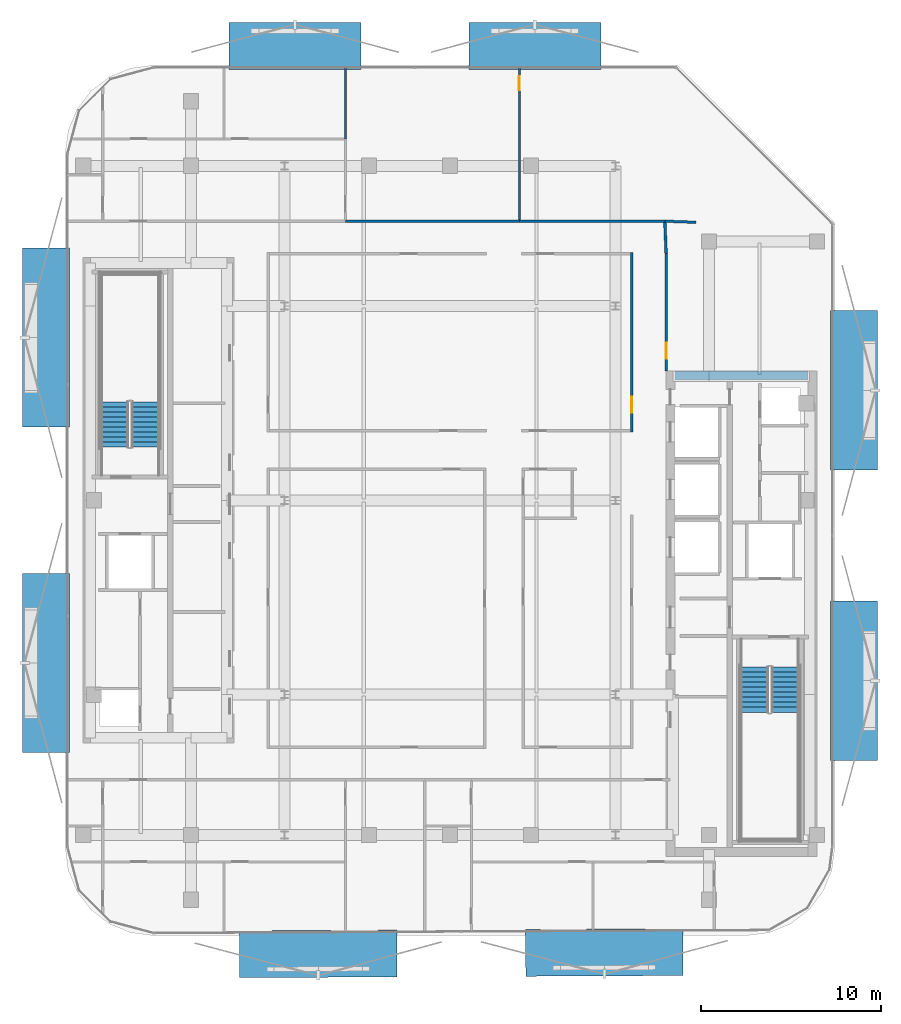
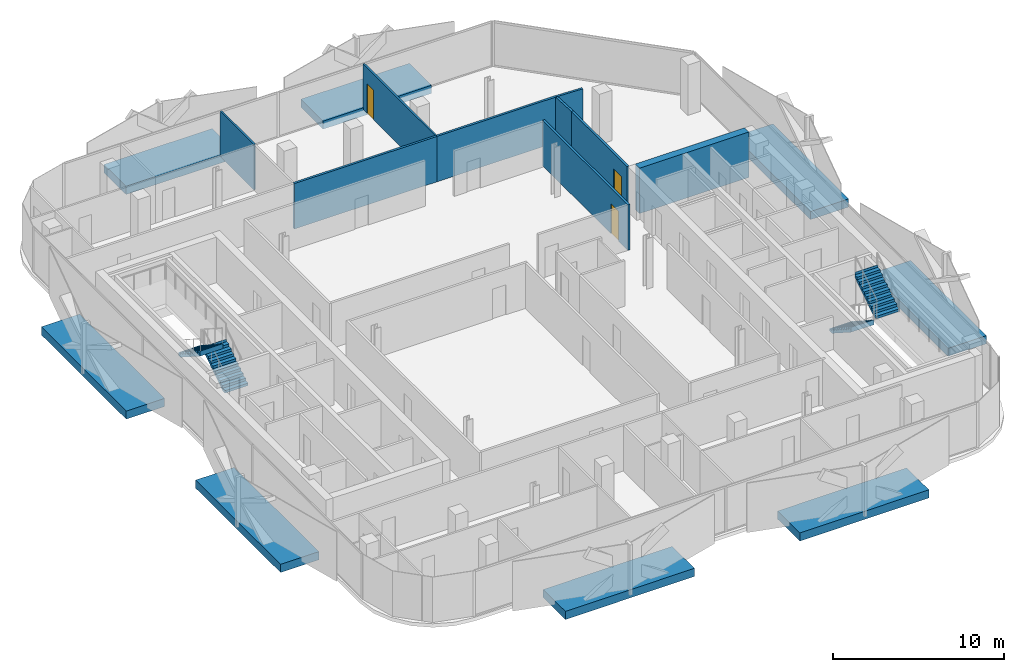
# One storey, part 6 of 15: 9 walls, 8 discrete accessories, 4 stair flights, 3 doors, 3 openings, 2 elements without a shape of their own.
"""IFC4 building model written with IfcOpenShell, lengths in metres."""

import ifcopenshell
import ifcopenshell.guid

model = None  # the IFC model being written
_history = None  # IfcOwnerHistory: only IFC2X3 demands one
_inside = {}  # id of a spatial element -> (the spatial element, [elements in it])
_under = {}  # id of a project, library or spatial element -> (it, [spatial elements below it])
_declared = {}  # id of a project -> (the project, [libraries it declares])
_typed = {}  # id of a type object -> (the type object, [elements of that type])
_made_of = {}  # id of a material, layer set ... -> (it, [elements and type objects made of it])


def new_model(schema):
    """Start an empty IFC model of exactly this schema.

    Asked for "IFC4X3", IfcOpenShell would pick the latest addendum, in which some entities
    have other attributes; the version numbers below select the first issue.
    IFC2X3 requires an IfcOwnerHistory on every rooted entity: one is made here for all.
    """
    global model, _history
    if schema == "IFC4X3":
        model = ifcopenshell.file(schema_version=(4, 3, 0, 0))
    else:
        model = ifcopenshell.file(schema=schema)
    _inside.clear()
    _under.clear()
    _declared.clear()
    _typed.clear()
    _made_of.clear()
    _history = None
    if model.schema == "IFC2X3":
        org = make("IfcOrganization", Name="unknown")
        user = make(
            "IfcPersonAndOrganization",
            ThePerson=make("IfcPerson", FamilyName="unknown"),
            TheOrganization=org,
        )
        app = make(
            "IfcApplication",
            ApplicationDeveloper=org,
            Version="unknown",
            ApplicationFullName="unknown",
            ApplicationIdentifier="unknown",
        )
        _history = make(
            "IfcOwnerHistory",
            OwningUser=user,
            OwningApplication=app,
            ChangeAction="ADDED",
            CreationDate=0,
        )
    return model


def make(cls, **values):
    """One entity of the class cls with the attributes given. An attribute that is None is left unset."""
    return model.create_entity(
        cls, **{name: value for name, value in values.items() if value is not None}
    )


def rooted(cls, **values):
    """An entity with a GlobalId (a new one), such as an element, a storey or a relation."""
    return make(cls, GlobalId=ifcopenshell.guid.new(), OwnerHistory=_history, **values)


def si_unit(unit_type, name, prefix=None):
    """IfcSIUnit, for example si_unit("LENGTHUNIT", "METRE", prefix="MILLI")."""
    return make("IfcSIUnit", UnitType=unit_type, Prefix=prefix, Name=name)


def assignment(units):
    """IfcUnitAssignment: the units of a project."""
    return None if units is None else make("IfcUnitAssignment", Units=units)


def point(xyz):
    """IfcCartesianPoint."""
    return None if xyz is None else make("IfcCartesianPoint", Coordinates=xyz)


def direction(xyz):
    """IfcDirection."""
    return None if xyz is None else make("IfcDirection", DirectionRatios=xyz)


def frame(location, z_axis=None, x_axis=None):
    """IfcAxis2Placement3D, a coordinate frame: its origin and axes. An axis left out is left unset."""
    return make(
        "IfcAxis2Placement3D",
        Location=point(location),
        Axis=direction(z_axis),
        RefDirection=direction(x_axis),
    )


def frame_2d(location, x_axis=None):
    """IfcAxis2Placement2D, a coordinate frame in the plane: its origin and x axis."""
    return make(
        "IfcAxis2Placement2D", Location=point(location), RefDirection=direction(x_axis)
    )


def origin():
    """The frame at (0, 0, 0) with its axes left unset."""
    return frame((0.0, 0.0, 0.0))


def origin_2d():
    """The frame at (0, 0) in the plane with its x axis left unset."""
    return frame_2d((0.0, 0.0))


def place(relative_to, where):
    """IfcLocalPlacement: puts the frame where relative to a parent placement (None: the world)."""
    return make(
        "IfcLocalPlacement", PlacementRelTo=relative_to, RelativePlacement=where
    )


def context(
    kind, dimensions, precision=None, world=None, true_north=None, identifier=None
):
    """IfcGeometricRepresentationContext, for example the 3D "Model" context."""
    return make(
        "IfcGeometricRepresentationContext",
        ContextIdentifier=identifier,
        ContextType=kind,
        CoordinateSpaceDimension=dimensions,
        Precision=precision,
        WorldCoordinateSystem=world,
        TrueNorth=true_north,
    )


def subcontext(parent, identifier, kind, view, scale=None):
    """IfcGeometricRepresentationSubContext, for example "Body" below "Model"."""
    return make(
        "IfcGeometricRepresentationSubContext",
        ContextIdentifier=identifier,
        ContextType=kind,
        ParentContext=parent,
        TargetScale=scale,
        TargetView=view,
    )


def project(units=None, contexts=None):
    """IfcProject with its units and contexts."""
    return rooted(
        "IfcProject",
        Name="project",
        RepresentationContexts=contexts,
        UnitsInContext=assignment(units),
    )


def spatial(cls, under=None, at=None, **own):
    """A site, building, storey or space (cls), placed at a placement, below another one or the project."""
    s = rooted(cls, ObjectPlacement=at, **own)
    if under is not None:
        _under.setdefault(under.id(), (under, []))[1].append(s)
    return s


def polyline(points):
    """IfcPolyline through the points."""
    return make("IfcPolyline", Points=[point(p) for p in points])


def profile(cls, at=None, kind="AREA", **sizes):
    """A parametric profile (cls). Its sizes go by their IFC names, for example OverallWidth=200.0."""
    return make(cls, ProfileType=kind, Position=at, **sizes)


def rectangle(**sizes):
    """IfcRectangleProfileDef."""
    return profile("IfcRectangleProfileDef", **sizes)


def outline(outer, holes=None, kind="AREA"):
    """IfcArbitraryClosedProfileDef: a profile drawn as a closed curve; with holes, ...WithVoids."""
    if holes is None:
        return make("IfcArbitraryClosedProfileDef", ProfileType=kind, OuterCurve=outer)
    return make(
        "IfcArbitraryProfileDefWithVoids",
        ProfileType=kind,
        OuterCurve=outer,
        InnerCurves=holes,
    )


def extrude(swept, where, along, depth):
    """IfcExtrudedAreaSolid: the profile swept, set in the frame where, extruded along a direction by depth."""
    return make(
        "IfcExtrudedAreaSolid",
        SweptArea=swept,
        Position=where,
        ExtrudedDirection=direction(along),
        Depth=depth,
    )


def shape(context_of_items, identifier, shape_type, items):
    """IfcShapeRepresentation: the items that make up one representation, for example the "Body"."""
    return make(
        "IfcShapeRepresentation",
        ContextOfItems=context_of_items,
        RepresentationIdentifier=identifier,
        RepresentationType=shape_type,
        Items=items,
    )


def material(Name=None, Category=None):
    """IfcMaterial."""
    return make("IfcMaterial", Name=Name, Category=Category)


def layer(
    of_material, thickness, ventilated=None, Name=None, Category=None, Priority=None
):
    """IfcMaterialLayer: one layer of a wall or slab, of a material (None: an air gap)."""
    return make(
        "IfcMaterialLayer",
        Material=of_material,
        LayerThickness=thickness,
        IsVentilated=ventilated,
        Name=Name,
        Category=Category,
        Priority=Priority,
    )


def layer_set(layers, Name=None):
    """IfcMaterialLayerSet."""
    return make("IfcMaterialLayerSet", MaterialLayers=layers, LayerSetName=Name)


def made_of(thing, what):
    """Note that an element or type object is made of a material, layer set ...; save() writes the relation."""
    if what is not None:
        _made_of.setdefault(what.id(), (what, []))[1].append(thing)
    return thing


def type_object(cls, material=None, **own):
    """A type object (cls), such as IfcWallType, which elements share."""
    return made_of(rooted(cls, **own), material)


def element(
    cls,
    number,
    at=None,
    inside=None,
    cuts=None,
    type_object=None,
    material=None,
    context=None,
    identifier="Body",
    shape_type=None,
    held_by="IfcProductDefinitionShape",
    body=None,
    shapes=None,
    **own,
):
    """One element of the class cls, such as IfcWall. Its Tag is "e" and its number.

    at: its placement. inside: the storey or other place that contains it. cuts: it is an
    opening in that element (IfcRelVoidsElement). A single representation is given by context,
    identifier, shape_type and body (its items); several are given by shapes. held_by: the class
    of the entity that holds the representations. save() writes the other relations.
    """
    e = rooted(cls, Tag="e%d" % number, ObjectPlacement=at, **own)
    if body is not None:
        shapes = [shape(context, identifier, shape_type, body)]
    if shapes is not None:
        e.Representation = make(held_by, Representations=shapes)
    if inside is not None:
        _inside.setdefault(inside.id(), (inside, []))[1].append(e)
    if cuts is not None:
        rooted(
            "IfcRelVoidsElement", RelatingBuildingElement=cuts, RelatedOpeningElement=e
        )
    if type_object is not None:
        _typed.setdefault(type_object.id(), (type_object, []))[1].append(e)
    return made_of(e, material)


def fill(opening, filler):
    """IfcRelFillsElement: the door or window that sits in an opening."""
    return rooted(
        "IfcRelFillsElement",
        RelatingOpeningElement=opening,
        RelatedBuildingElement=filler,
    )


def aggregate(whole, parts):
    """IfcRelAggregates: a whole, such as a stair, and the parts it consists of."""
    return rooted("IfcRelAggregates", RelatingObject=whole, RelatedObjects=parts)


def save(model, path):
    """Write the relations noted so far, then the file.

    IfcRelAggregates (storeys below a building ...), IfcRelContainedInSpatialStructure (elements
    in a storey), IfcRelDefinesByType, IfcRelAssociatesMaterial and IfcRelDeclares: one each for
    every whole, place, type object, material and project.
    """
    for whole, parts in _under.values():
        aggregate(whole, parts)
    for where, things in _inside.values():
        rooted(
            "IfcRelContainedInSpatialStructure",
            RelatedElements=things,
            RelatingStructure=where,
        )
    for kind, things in _typed.values():
        rooted("IfcRelDefinesByType", RelatedObjects=things, RelatingType=kind)
    for what, things in _made_of.values():
        rooted("IfcRelAssociatesMaterial", RelatedObjects=things, RelatingMaterial=what)
    for by, libraries in _declared.values():
        rooted("IfcRelDeclares", RelatingContext=by, RelatedDefinitions=libraries)
    model.write(path)


model = new_model("IFC4")

# Units and contexts
model_context = context("Model", 3, precision=1e-05, world=origin(), true_north=direction((0.0, 1.0)))
body_context = subcontext(model_context, "Body", "Model", "MODEL_VIEW")
ifc_project = project(units=[si_unit("LENGTHUNIT", "METRE"), si_unit("AREAUNIT", "SQUARE_METRE"), si_unit("VOLUMEUNIT", "CUBIC_METRE"), si_unit("PLANEANGLEUNIT", "RADIAN"), si_unit("MASSUNIT", "GRAM", prefix="KILO")], contexts=[model_context])

# Site, building, storey
site_placement = place(None, origin())
site = spatial("IfcSite", under=ifc_project, at=site_placement, CompositionType="ELEMENT")
building_placement = place(site_placement, origin())
building = spatial("IfcBuilding", under=site, at=building_placement, Name="Khairoan Windgate Tower", CompositionType="ELEMENT")
storey_placement = place(building_placement, frame((0.0, 0.0, 269.199951171875)))
storey = spatial("IfcBuildingStorey", under=building, at=storey_placement, Name="L64", CompositionType="ELEMENT", Elevation=269.199951171875)

# Wall
ifc_material_1 = material(Name="Acoustic Fire-Rated Gypsum Partition", Category="gypsum")
ifc_layer_1 = layer(ifc_material_1, 0.139892578125, Name="Acoustic Fire-Rated Gypsum Partition")
ifc_layer_set_1 = layer_set([ifc_layer_1], Name="Acoustic Fire-Rated Gypsum Partition")
wall_type_1 = type_object("IfcWallType", Name="Inter-Tenancy Compartment Wall", PredefinedType="PARTITIONING", material=ifc_layer_set_1)
wall_1_placement = place(storey_placement, frame((11.93994140625, 15.52490234375, 0.0), z_axis=(0.0, 0.0, 1.0), x_axis=(0.999304229002, -0.037296888581, 0.0)))
element("IfcWall", 1, at=wall_1_placement, inside=storey, type_object=wall_type_1, Name="L64 Interior Partition 045", PredefinedType="PARTITIONING", context=body_context, shape_type="SweptSolid", body=[
    extrude(rectangle(XDim=1.7412109375, YDim=0.139892578125, at=frame_2d((0.87060546875, 0.0))), origin(), (0.0, 0.0, 1.0), 3.25),
])

# Wall, opening, door
ifc_material_2 = material(Name="Gypsum Stud Partition", Category="gypsum")
ifc_layer_2 = layer(ifc_material_2, 0.1201171875, Name="Gypsum Stud Partition")
ifc_layer_set_2 = layer_set([ifc_layer_2], Name="Gypsum Stud Partition")
wall_type_2 = type_object("IfcWallType", Name="Internal Room Partition Wall", PredefinedType="PARTITIONING", material=ifc_layer_set_2)
wall_2_placement = place(storey_placement, frame((3.85498046875, 15.60009765625, 0.0), z_axis=(0.0, 0.0, 1.0), x_axis=(0.0, 1.0, 0.0)))
wall_2 = element("IfcWall", 2, at=wall_2_placement, inside=storey, type_object=wall_type_2, Name="L64 Interior Partition 043", PredefinedType="PARTITIONING", context=body_context, shape_type="SweptSolid", body=[
    extrude(rectangle(XDim=8.454833984375, YDim=0.1201171875, at=frame_2d((4.2275390625, 0.0))), origin(), (0.0, 0.0, 1.0), 3.25),
])
opening_1_placement = place(wall_2_placement, frame((7.195068359375, 0.0, 0.0)))
opening_1 = element("IfcOpeningElement", 3, at=opening_1_placement, cuts=wall_2, Name="Opening ID-BTH", PredefinedType="OPENING", context=body_context, shape_type="SweptSolid", body=[
    extrude(rectangle(XDim=0.800048828125, YDim=2.10009765625, at=frame_2d((0.39990234375, 1.050048828125))), frame((0.0, 0.070068359375, 0.0), z_axis=(0.0, -1.0, 0.0), x_axis=(1.0, 0.0, 0.0)), (0.0, 0.0, 1.0), 0.14013671875),
])
ifc_material_3 = material(Name="Teak Veneer Timber Leaf", Category="wood")
door_type_1 = type_object("IfcDoorType", Name="Internal Bathroom Door ID-BTH 800x2100", OperationType="NOTDEFINED", PredefinedType="DOOR", material=ifc_material_3)
door_1_placement = place(opening_1_placement, origin())
door_1 = element("IfcDoor", 4, at=door_1_placement, inside=storey, type_object=door_type_1, Name="L64 L64-36-L64-37 Door", OperationType="SINGLE_SWING_LEFT", OverallHeight=2.10009765625, OverallWidth=0.800048828125, PredefinedType="DOOR", context=body_context, shape_type="SweptSolid", body=[
    extrude(rectangle(XDim=0.800048828125, YDim=2.10009765625, at=frame_2d((0.39990234375, 1.050048828125))), frame((0.0, 0.02490234375, 0.0), z_axis=(0.0, -1.0, 0.0), x_axis=(1.0, 0.0, 0.0)), (0.0, 0.0, 1.0), 0.050048828125),
])
fill(opening_1, door_1)

# Wall
wall_3_placement = place(storey_placement, frame((-5.81005859375, 20.10009765625, 0.0), z_axis=(0.0, 0.0, 1.0), x_axis=(0.0, 1.0, 0.0)))
element("IfcWall", 5, at=wall_3_placement, inside=storey, type_object=wall_type_2, Name="L64 Interior Partition 044", PredefinedType="PARTITIONING", context=body_context, shape_type="SweptSolid", body=[
    extrude(rectangle(XDim=3.954833984375, YDim=0.1201171875, at=frame_2d((1.9775390625, 0.0))), origin(), (0.0, 0.0, 1.0), 3.25),
])

# Wall, opening, door
ifc_material_4 = material(Name="Acoustic Fire-Rated Gypsum Partition", Category="gypsum")
ifc_layer_3 = layer(ifc_material_4, 0.14990234375, Name="Acoustic Fire-Rated Gypsum Partition")
ifc_layer_set_3 = layer_set([ifc_layer_3], Name="Acoustic Fire-Rated Gypsum Partition")
wall_type_3 = type_object("IfcWallType", Name="Rated Corridor Partition Wall", PredefinedType="PARTITIONING", material=ifc_layer_set_3)
wall_4_placement = place(storey_placement, frame((12.014892578125, 7.199951171875, 0.0), z_axis=(0.0, 0.0, 1.0), x_axis=(0.0, 1.0, 0.0)))
wall_4 = element("IfcWall", 6, at=wall_4_placement, inside=storey, type_object=wall_type_3, Name="L64 Interior Partition 014", PredefinedType="PARTITIONING", context=body_context, shape_type="SweptSolid", body=[
    extrude(rectangle(XDim=6.52001953125, YDim=0.14990234375, at=frame_2d((3.260009765625, 0.0))), origin(), (0.0, 0.0, 1.0), 3.25),
])
opening_2_placement = place(wall_4_placement, frame((0.669921875, 0.0, 0.0)))
opening_2 = element("IfcOpeningElement", 7, at=opening_2_placement, cuts=wall_4, Name="Opening FD-ENT", PredefinedType="OPENING", context=body_context, shape_type="SweptSolid", body=[
    extrude(rectangle(XDim=0.89990234375, YDim=2.14990234375, at=frame_2d((0.449951171875, 1.074951171875))), frame((0.0, 0.0849609375, 0.0), z_axis=(0.0, -1.0, 0.0), x_axis=(1.0, 0.0, 0.0)), (0.0, 0.0, 1.0), 0.169921875),
])
ifc_material_5 = material(Name="Timber Fire-Rated Core", Category="wood")
door_type_2 = type_object("IfcDoorType", Name="Unit and Office Fire Entrance Door FD-ENT 900x2150", OperationType="NOTDEFINED", PredefinedType="DOOR", material=ifc_material_5)
door_2_placement = place(opening_2_placement, origin())
door_2 = element("IfcDoor", 8, at=door_2_placement, inside=storey, type_object=door_type_2, Name="L64 L64-28-L64-52 Door", OperationType="SINGLE_SWING_LEFT", OverallHeight=2.14990234375, OverallWidth=0.89990234375, PredefinedType="DOOR", context=body_context, shape_type="SweptSolid", body=[
    extrude(rectangle(XDim=0.89990234375, YDim=2.14990234375, at=frame_2d((0.449951171875, 1.074951171875))), frame((0.0, 0.02490234375, 0.0), z_axis=(0.0, -1.0, 0.0), x_axis=(1.0, 0.0, 0.0)), (0.0, 0.0, 1.0), 0.050048828125),
])
fill(opening_2, door_2)

wall_5_placement = place(storey_placement, frame((10.10009765625, 3.7900390625, 0.0), z_axis=(0.0, 0.0, 1.0), x_axis=(0.0, 1.0, 0.0)))
wall_5 = element("IfcWall", 9, at=wall_5_placement, inside=storey, type_object=wall_type_3, Name="L64 Interior Partition 015", PredefinedType="PARTITIONING", context=body_context, shape_type="SweptSolid", body=[
    extrude(rectangle(XDim=10.0048828125, YDim=0.14990234375, at=frame_2d((5.00244140625, 0.0))), origin(), (0.0, 0.0, 1.0), 3.25),
])
opening_3_placement = place(wall_5_placement, frame((1.073974609375, 0.0, 0.0)))
opening_3 = element("IfcOpeningElement", 10, at=opening_3_placement, cuts=wall_5, Name="Opening FD-ENT", PredefinedType="OPENING", context=body_context, shape_type="SweptSolid", body=[
    extrude(rectangle(XDim=0.89990234375, YDim=2.14990234375, at=frame_2d((0.449951171875, 1.074951171875))), frame((0.0, 0.0849609375, 0.0), z_axis=(0.0, -1.0, 0.0), x_axis=(1.0, 0.0, 0.0)), (0.0, 0.0, 1.0), 0.169921875),
])
door_3_placement = place(opening_3_placement, origin())
door_3 = element("IfcDoor", 11, at=door_3_placement, inside=storey, type_object=door_type_2, Name="L64 L64-28-L64-55 Door", OperationType="SINGLE_SWING_RIGHT", OverallHeight=2.14990234375, OverallWidth=0.89990234375, PredefinedType="DOOR", context=body_context, shape_type="SweptSolid", body=[
    extrude(rectangle(XDim=0.89990234375, YDim=2.14990234375, at=frame_2d((0.449951171875, 1.074951171875))), frame((0.0, 0.02490234375, 0.0), z_axis=(0.0, -1.0, 0.0), x_axis=(1.0, 0.0, 0.0)), (0.0, 0.0, 1.0), 0.050048828125),
])
fill(opening_3, door_3)

# Walls
wall_6_placement = place(storey_placement, frame((-5.81005859375, 15.52490234375, 0.0), z_axis=(0.0, 0.0, 1.0), x_axis=(1.0, 0.0, 0.0)))
element("IfcWall", 12, at=wall_6_placement, inside=storey, type_object=wall_type_3, Name="L64 Interior Partition 025", PredefinedType="PARTITIONING", context=body_context, shape_type="SweptSolid", body=[
    extrude(rectangle(XDim=9.6650390625, YDim=0.14990234375, at=frame_2d((4.83251953125, 0.0))), origin(), (0.0, 0.0, 1.0), 3.25),
])
wall_7_placement = place(storey_placement, frame((3.85498046875, 15.52490234375, 0.0), z_axis=(0.0, 0.0, 1.0), x_axis=(1.0, 0.0, 0.0)))
element("IfcWall", 13, at=wall_7_placement, inside=storey, type_object=wall_type_3, Name="L64 Interior Partition 026", PredefinedType="PARTITIONING", context=body_context, shape_type="SweptSolid", body=[
    extrude(rectangle(XDim=8.0849609375, YDim=0.14990234375, at=frame_2d((4.04248046875, 0.0))), origin(), (0.0, 0.0, 1.0), 3.25),
])
wall_8_placement = place(storey_placement, frame((12.014892578125, 13.719970703125, 0.0), z_axis=(0.0, 0.0, 1.0), x_axis=(-0.040046877756, 0.99919780203, 0.0)))
element("IfcWall", 14, at=wall_8_placement, inside=storey, type_object=wall_type_3, Name="L64 Interior Partition 027", PredefinedType="PARTITIONING", context=body_context, shape_type="SweptSolid", body=[
    extrude(rectangle(XDim=1.7314453125, YDim=0.14990234375, at=frame_2d((0.86572265625, 0.0))), origin(), (0.0, 0.0, 1.0), 3.25),
])
ifc_material_6 = material(Name="Concrete C50/60", Category="concrete")
ifc_layer_4 = layer(ifc_material_6, 0.5, Name="Concrete C50/60")
ifc_layer_set_4 = layer_set([ifc_layer_4], Name="Concrete C50/60")
wall_type_4 = type_object("IfcWallType", Name="Shear Wall CW-E3 500mm", PredefinedType="SHEAR", material=ifc_layer_set_4)
wall_9_placement = place(storey_placement, frame((12.5, 6.949951171875, 0.0), z_axis=(0.0, 0.0, 1.0), x_axis=(1.0, 0.0, 0.0)))
element("IfcWall", 15, at=wall_9_placement, inside=storey, type_object=wall_type_4, Name="E Core North Shear Wall L64", PredefinedType="SHEAR", context=body_context, shape_type="SweptSolid", body=[
    extrude(rectangle(XDim=7.39990234375, YDim=0.5, at=frame_2d((3.699951171875, 0.0))), origin(), (0.0, 0.0, 1.0), 3.25),
])

# Stair, stair flights
ifc_material_7 = material(Name="Concrete C40/50", Category="concrete")
stair_type = type_object("IfcStairType", Name="Tower Core Dog-Leg Stair ST-T1 1560mm", PredefinedType="HALF_TURN_STAIR", material=ifc_material_7)
stair_1_placement = place(storey_placement, origin())
stair_1 = element("IfcStair", 16, at=stair_1_placement, inside=storey, type_object=stair_type, Name="L64 Stair ST1", PredefinedType="HALF_TURN_STAIR")
ifc_material_8 = material(Name="Concrete C40/50", Category="concrete")
ifc_layer_5 = layer(ifc_material_8, 0.14990234375, Name="Concrete C40/50")
ifc_layer_set_5 = layer_set([ifc_layer_5], Name="Concrete C40/50")
stair_flight_type = type_object("IfcStairFlightType", Name="Tower Core Stair Flight STF-1560", PredefinedType="STRAIGHT", material=ifc_layer_set_5)
stair_flight_1_placement = place(storey_placement, frame((16.929931640625, -9.260009765625, 0.0), z_axis=(0.0, 0.0, 1.0), x_axis=(0.0, -1.0, 0.0)))
stair_flight_1 = element("IfcStairFlight", 17, at=stair_flight_1_placement, type_object=stair_flight_type, Name="ST1 flight 1", NumberOfRisers=10, NumberOfTreads=9, PredefinedType="STRAIGHT", RiserHeight=0.18, TreadLength=0.28, context=body_context, shape_type="SweptSolid", body=[
    extrude(outline(polyline([(-0.00390625, 0.0), (-0.00390625, 0.179931640625), (0.0, 0.179931640625), (0.280029296875, 0.179931640625), (0.280029296875, 0.360107421875), (0.56005859375, 0.360107421875), (0.56005859375, 0.5400390625), (0.840087890625, 0.5400390625), (0.840087890625, 0.719970703125), (1.1201171875, 0.719970703125), (1.1201171875, 0.89990234375), (1.39990234375, 0.89990234375), (1.39990234375, 1.080078125), (1.679931640625, 1.080078125), (1.679931640625, 1.260009765625), (1.9599609375, 1.260009765625), (1.9599609375, 1.43994140625), (2.239990234375, 1.43994140625), (2.239990234375, 1.6201171875), (2.52001953125, 1.6201171875), (2.52001953125, 1.800048828125), (2.52392578125, 1.800048828125), (2.52392578125, 1.44189453125), (0.277099609375, 0.0), (-0.00390625, 0.0)])), frame((0.0, 0.780029296875, 0.0), z_axis=(0.0, -1.0, 0.0), x_axis=(1.0, 0.0, 0.0)), (0.0, 0.0, 1.0), 1.56005859375),
])
stair_flight_2_placement = place(storey_placement, frame((18.639892578125, -11.780029296875, 1.800048828125), z_axis=(0.0, 0.0, 1.0), x_axis=(0.0, 1.0, 0.0)))
stair_flight_2 = element("IfcStairFlight", 18, at=stair_flight_2_placement, type_object=stair_flight_type, Name="ST1 flight 2", NumberOfRisers=10, NumberOfTreads=9, PredefinedType="STRAIGHT", RiserHeight=0.18, TreadLength=0.28, context=body_context, shape_type="SweptSolid", body=[
    extrude(outline(polyline([(-0.00390625, 0.0), (-0.00390625, 0.179931640625), (0.0, 0.179931640625), (0.280029296875, 0.179931640625), (0.280029296875, 0.360107421875), (0.56005859375, 0.360107421875), (0.56005859375, 0.5400390625), (0.840087890625, 0.5400390625), (0.840087890625, 0.719970703125), (1.1201171875, 0.719970703125), (1.1201171875, 0.89990234375), (1.39990234375, 0.89990234375), (1.39990234375, 1.080078125), (1.679931640625, 1.080078125), (1.679931640625, 1.260009765625), (1.9599609375, 1.260009765625), (1.9599609375, 1.43994140625), (2.239990234375, 1.43994140625), (2.239990234375, 1.6201171875), (2.52001953125, 1.6201171875), (2.52001953125, 1.800048828125), (2.52392578125, 1.800048828125), (2.52392578125, 1.44189453125), (0.277099609375, 0.0), (-0.00390625, 0.0)])), frame((0.0, 0.780029296875, 0.0), z_axis=(0.0, -1.0, 0.0), x_axis=(1.0, 0.0, 0.0)), (0.0, 0.0, 1.0), 1.56005859375),
])
aggregate(stair_1, [stair_flight_1, stair_flight_2])

stair_2_placement = place(storey_placement, origin())
stair_2 = element("IfcStair", 19, at=stair_2_placement, inside=storey, type_object=stair_type, Name="L64 Stair ST2", PredefinedType="HALF_TURN_STAIR")
stair_flight_3_placement = place(storey_placement, frame((-16.929931640625, 2.9599609375, 0.0), z_axis=(0.0, 0.0, 1.0), x_axis=(0.0, 1.0, 0.0)))
stair_flight_3 = element("IfcStairFlight", 20, at=stair_flight_3_placement, type_object=stair_flight_type, Name="ST2 flight 1", NumberOfRisers=10, NumberOfTreads=9, PredefinedType="STRAIGHT", RiserHeight=0.18, TreadLength=0.28, context=body_context, shape_type="SweptSolid", body=[
    extrude(outline(polyline([(-0.00390625, 0.0), (-0.00390625, 0.179931640625), (0.0, 0.179931640625), (0.280029296875, 0.179931640625), (0.280029296875, 0.360107421875), (0.56005859375, 0.360107421875), (0.56005859375, 0.5400390625), (0.840087890625, 0.5400390625), (0.840087890625, 0.719970703125), (1.1201171875, 0.719970703125), (1.1201171875, 0.89990234375), (1.39990234375, 0.89990234375), (1.39990234375, 1.080078125), (1.679931640625, 1.080078125), (1.679931640625, 1.260009765625), (1.9599609375, 1.260009765625), (1.9599609375, 1.43994140625), (2.239990234375, 1.43994140625), (2.239990234375, 1.6201171875), (2.52001953125, 1.6201171875), (2.52001953125, 1.800048828125), (2.52392578125, 1.800048828125), (2.52392578125, 1.44189453125), (0.277099609375, 0.0), (-0.00390625, 0.0)])), frame((0.0, 0.780029296875, 0.0), z_axis=(0.0, -1.0, 0.0), x_axis=(1.0, 0.0, 0.0)), (0.0, 0.0, 1.0), 1.56005859375),
])
stair_flight_4_placement = place(storey_placement, frame((-18.639892578125, 5.47998046875, 1.800048828125), z_axis=(0.0, 0.0, 1.0), x_axis=(0.0, -1.0, 0.0)))
stair_flight_4 = element("IfcStairFlight", 21, at=stair_flight_4_placement, type_object=stair_flight_type, Name="ST2 flight 2", NumberOfRisers=10, NumberOfTreads=9, PredefinedType="STRAIGHT", RiserHeight=0.18, TreadLength=0.28, context=body_context, shape_type="SweptSolid", body=[
    extrude(outline(polyline([(-0.00390625, 0.0), (-0.00390625, 0.179931640625), (0.0, 0.179931640625), (0.280029296875, 0.179931640625), (0.280029296875, 0.360107421875), (0.56005859375, 0.360107421875), (0.56005859375, 0.5400390625), (0.840087890625, 0.5400390625), (0.840087890625, 0.719970703125), (1.1201171875, 0.719970703125), (1.1201171875, 0.89990234375), (1.39990234375, 0.89990234375), (1.39990234375, 1.080078125), (1.679931640625, 1.080078125), (1.679931640625, 1.260009765625), (1.9599609375, 1.260009765625), (1.9599609375, 1.43994140625), (2.239990234375, 1.43994140625), (2.239990234375, 1.6201171875), (2.52001953125, 1.6201171875), (2.52001953125, 1.800048828125), (2.52392578125, 1.800048828125), (2.52392578125, 1.44189453125), (0.277099609375, 0.0), (-0.00390625, 0.0)])), frame((0.0, 0.780029296875, 0.0), z_axis=(0.0, -1.0, 0.0), x_axis=(1.0, 0.0, 0.0)), (0.0, 0.0, 1.0), 1.56005859375),
])
aggregate(stair_2, [stair_flight_3, stair_flight_4])

# Discrete accessories
ifc_material_9 = material(Name="Steel S355", Category="steel")
discrete_accessory_type = type_object("IfcDiscreteAccessoryType", Name="Solar Screen Outrigger Slab Bracket SSB-1", PredefinedType="BRACKET", material=ifc_material_9)
for number, where, z_axis, x_axis, name in (
    (22, (8.581787109375, -25.140380859375, -0.419921875), (0.0, 0.0, 1.0), (-0.999988896716, -0.004712371539, 0.0), "L64 Solar Screen Outrigger Bracket 441"),
    (23, (-7.32958984375, -25.21630859375, -0.419921875), (0.0, 0.0, 1.0), (-0.999988896716, -0.004712371539, 0.0), "L64 Solar Screen Outrigger Bracket 442"),
):
    element("IfcDiscreteAccessory", number, at=place(storey_placement, frame(where, z_axis=z_axis, x_axis=x_axis)), inside=storey, type_object=discrete_accessory_type, Name=name, PredefinedType="BRACKET", context=body_context, shape_type="SweptSolid", body=[
        extrude(rectangle(XDim=8.7509765625, YDim=2.60009765625, at=origin_2d()), origin(), (0.0, 0.0, 1.0), 0.580078125),
    ])
for number, where, z_axis, x_axis, name in (
    (24, (-22.4599609375, -9.04541015625, -0.419921875), (0.0, 0.0, 1.0), (0.0, 1.0, 0.0), "L64 Solar Screen Outrigger Bracket 443"),
    (25, (-22.4599609375, 9.04541015625, -0.419921875), (0.0, 0.0, 1.0), (0.0, 1.0, 0.0), "L64 Solar Screen Outrigger Bracket 444"),
):
    element("IfcDiscreteAccessory", number, at=place(storey_placement, frame(where, z_axis=z_axis, x_axis=x_axis)), inside=storey, type_object=discrete_accessory_type, Name=name, PredefinedType="BRACKET", context=body_context, shape_type="SweptSolid", body=[
        extrude(rectangle(XDim=9.949951171875, YDim=2.60009765625, at=origin_2d()), origin(), (0.0, 0.0, 1.0), 0.580078125),
    ])
for number, where, z_axis, x_axis, name in (
    (26, (-8.62255859375, 25.260009765625, -0.419921875), (0.0, 0.0, 1.0), (1.0, 0.0, 0.0), "L64 Solar Screen Outrigger Bracket 445"),
    (27, (4.7138671875, 25.260009765625, -0.419921875), (0.0, 0.0, 1.0), (1.0, 0.0, 0.0), "L64 Solar Screen Outrigger Bracket 446"),
):
    element("IfcDiscreteAccessory", number, at=place(storey_placement, frame(where, z_axis=z_axis, x_axis=x_axis)), inside=storey, type_object=discrete_accessory_type, Name=name, PredefinedType="BRACKET", context=body_context, shape_type="SweptSolid", body=[
        extrude(rectangle(XDim=7.3349609375, YDim=2.60009765625, at=origin_2d()), origin(), (0.0, 0.0, 1.0), 0.580078125),
    ])
for number, where, z_axis, x_axis, name in (
    (28, (22.4599609375, 6.11376953125, -0.419921875), (0.0, 0.0, 1.0), (0.0, -1.0, 0.0), "L64 Solar Screen Outrigger Bracket 447"),
    (29, (22.4599609375, -10.022705078125, -0.419921875), (0.0, 0.0, 1.0), (0.0, -1.0, 0.0), "L64 Solar Screen Outrigger Bracket 448"),
):
    element("IfcDiscreteAccessory", number, at=place(storey_placement, frame(where, z_axis=z_axis, x_axis=x_axis)), inside=storey, type_object=discrete_accessory_type, Name=name, PredefinedType="BRACKET", context=body_context, shape_type="SweptSolid", body=[
        extrude(rectangle(XDim=8.875, YDim=2.60009765625, at=origin_2d()), origin(), (0.0, 0.0, 1.0), 0.580078125),
    ])

save(model, "model.ifc")
